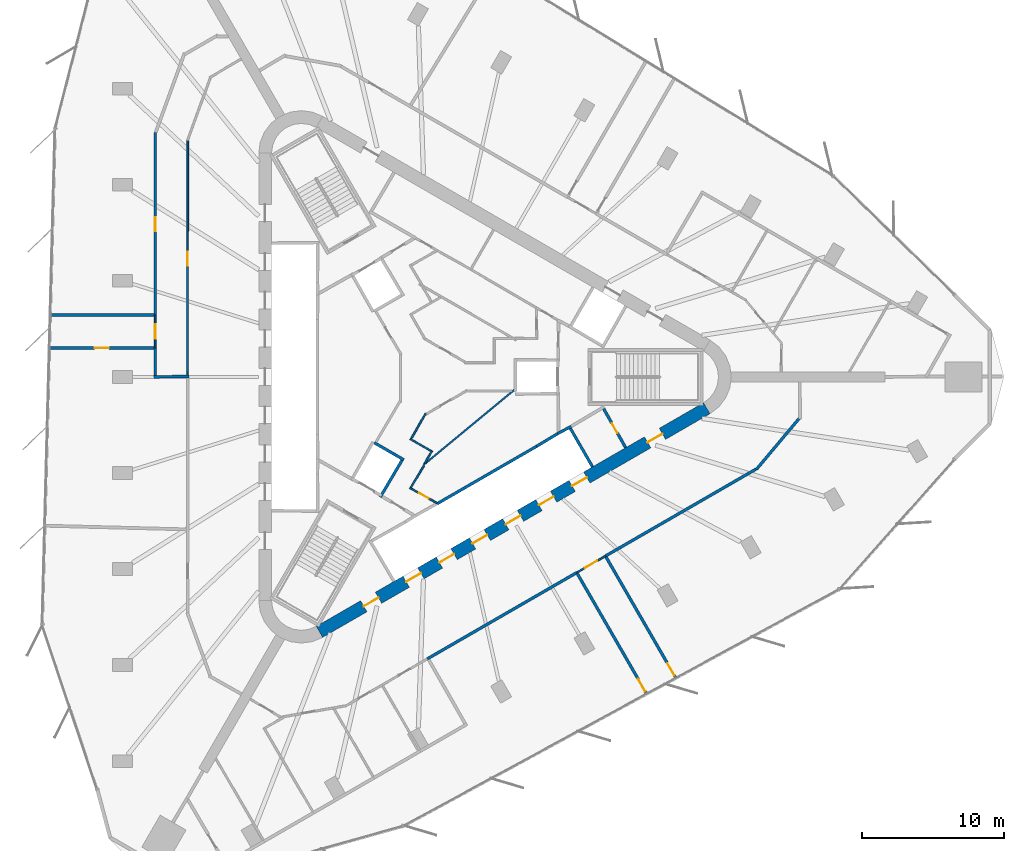
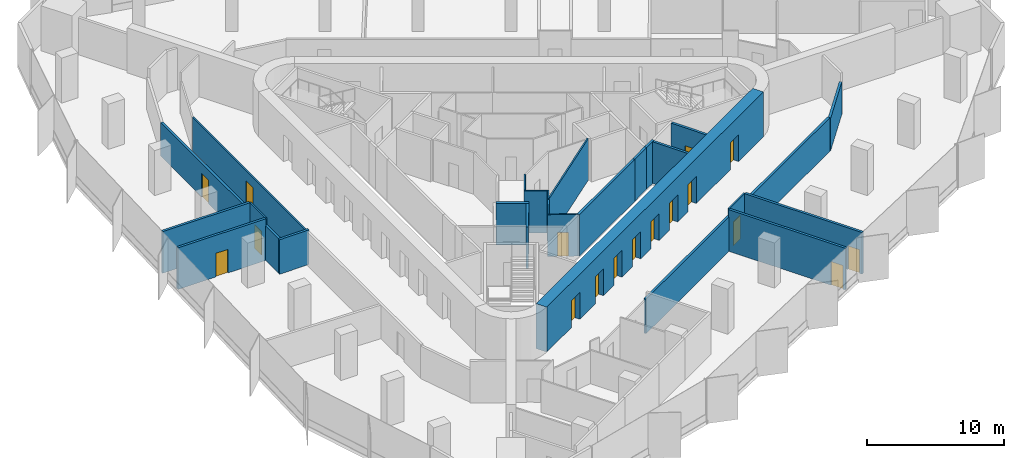
# One storey, part 9 of 14: 27 walls, 17 doors, 17 openings.
"""IFC4 building model written with IfcOpenShell, lengths in metres."""

from ifc_helpers import new_model, si_unit, direction, frame, frame_2d, origin, place, context, subcontext, project, spatial, rectangle, extrude, material, layer, layer_set, type_object, element, fill, save


model = new_model("IFC4")

# Units and contexts
model_context = context("Model", 3, precision=1e-05, world=origin(), true_north=direction((0.0, 1.0)))
body_context = subcontext(model_context, "Body", "Model", "MODEL_VIEW")
ifc_project = project(units=[si_unit("LENGTHUNIT", "METRE"), si_unit("AREAUNIT", "SQUARE_METRE"), si_unit("VOLUMEUNIT", "CUBIC_METRE"), si_unit("PLANEANGLEUNIT", "RADIAN"), si_unit("MASSUNIT", "GRAM", prefix="KILO")], contexts=[model_context])

# Site, building, storey
site_placement = place(None, origin())
site = spatial("IfcSite", under=ifc_project, at=site_placement, CompositionType="ELEMENT")
building_placement = place(site_placement, origin())
building = spatial("IfcBuilding", under=site, at=building_placement, Name="Tanit Gate Tower", CompositionType="ELEMENT")
storey_placement = place(building_placement, frame((0.0, 0.0, 249.199951171875)))
storey = spatial("IfcBuildingStorey", under=building, at=storey_placement, Name="L56", CompositionType="ELEMENT", Elevation=249.199951171875)

# Wall, openings, doors
ifc_material_1 = material(Name="Concrete C50/60", Category="concrete")
ifc_layer_1 = layer(ifc_material_1, 0.89990234375)
ifc_layer_set_1 = layer_set([ifc_layer_1], Name="CORE WALL 900 C50/60")
wall_type_1 = type_object("IfcWallType", Name="CORE WALL 900 C50/60", PredefinedType="SHEAR", material=ifc_layer_set_1)
wall_1_placement = place(storey_placement, frame((-7.824951171875, -17.969970703125, 0.0), z_axis=(0.0, 0.0, 1.0), x_axis=(0.866028369851, 0.499994862586, 0.0)))
wall_1 = element("IfcWall", 1, at=wall_1_placement, inside=storey, type_object=wall_type_1, Name="CORE WALL", PredefinedType="SHEAR", context=body_context, shape_type="SweptSolid", body=[
    extrude(rectangle(XDim=31.523193359375, YDim=0.89990234375, at=frame_2d((15.76171875, 0.0))), origin(), (0.0, 0.0, 1.0), 4.0),
])
opening_1_placement = place(wall_1_placement, frame((7.061767578125, 0.0, 0.0)))
opening_1 = element("IfcOpeningElement", 2, at=opening_1_placement, cuts=wall_1, Name="Opening LDSX1-S15", PredefinedType="OPENING", context=body_context, shape_type="SweptSolid", body=[
    extrude(rectangle(XDim=1.199951171875, YDim=2.39990234375, at=frame_2d((0.60009765625, 1.199951171875))), frame((0.0, 0.4599609375, 0.0), z_axis=(0.0, -1.0, 0.0), x_axis=(1.0, 0.0, 0.0)), (0.0, 0.0, 1.0), 0.919921875),
])
opening_2_placement = place(wall_1_placement, frame((9.76171875, 0.0, 0.0)))
opening_2 = element("IfcOpeningElement", 3, at=opening_2_placement, cuts=wall_1, Name="Opening LDSX2-S15", PredefinedType="OPENING", context=body_context, shape_type="SweptSolid", body=[
    extrude(rectangle(XDim=1.199951171875, YDim=2.39990234375, at=frame_2d((0.60009765625, 1.199951171875))), frame((0.0, 0.4599609375, 0.0), z_axis=(0.0, -1.0, 0.0), x_axis=(1.0, 0.0, 0.0)), (0.0, 0.0, 1.0), 0.919921875),
])
opening_3_placement = place(wall_1_placement, frame((12.461669921875, 0.0, 0.0)))
opening_3 = element("IfcOpeningElement", 4, at=opening_3_placement, cuts=wall_1, Name="Opening LDSX3-S15", PredefinedType="OPENING", context=body_context, shape_type="SweptSolid", body=[
    extrude(rectangle(XDim=1.199951171875, YDim=2.39990234375, at=frame_2d((0.60009765625, 1.199951171875))), frame((0.0, 0.4599609375, 0.0), z_axis=(0.0, -1.0, 0.0), x_axis=(1.0, 0.0, 0.0)), (0.0, 0.0, 1.0), 0.919921875),
])
opening_4_placement = place(wall_1_placement, frame((15.16162109375, 0.0, 0.0)))
opening_4 = element("IfcOpeningElement", 5, at=opening_4_placement, cuts=wall_1, Name="Opening LDSX4-S15", PredefinedType="OPENING", context=body_context, shape_type="SweptSolid", body=[
    extrude(rectangle(XDim=1.199951171875, YDim=2.39990234375, at=frame_2d((0.60009765625, 1.199951171875))), frame((0.0, 0.4599609375, 0.0), z_axis=(0.0, -1.0, 0.0), x_axis=(1.0, 0.0, 0.0)), (0.0, 0.0, 1.0), 0.919921875),
])
opening_5_placement = place(wall_1_placement, frame((17.861572265625, 0.0, 0.0)))
opening_5 = element("IfcOpeningElement", 6, at=opening_5_placement, cuts=wall_1, Name="Opening LDSV1-S15", PredefinedType="OPENING", context=body_context, shape_type="SweptSolid", body=[
    extrude(rectangle(XDim=1.199951171875, YDim=2.39990234375, at=frame_2d((0.60009765625, 1.199951171875))), frame((0.0, 0.4599609375, 0.0), z_axis=(0.0, -1.0, 0.0), x_axis=(1.0, 0.0, 0.0)), (0.0, 0.0, 1.0), 0.919921875),
])
opening_6_placement = place(wall_1_placement, frame((20.561767578125, 0.0, 0.0)))
opening_6 = element("IfcOpeningElement", 7, at=opening_6_placement, cuts=wall_1, Name="Opening LDSV2-S15", PredefinedType="OPENING", context=body_context, shape_type="SweptSolid", body=[
    extrude(rectangle(XDim=1.199951171875, YDim=2.39990234375, at=frame_2d((0.60009765625, 1.199951171875))), frame((0.0, 0.4599609375, 0.0), z_axis=(0.0, -1.0, 0.0), x_axis=(1.0, 0.0, 0.0)), (0.0, 0.0, 1.0), 0.919921875),
])
opening_7_placement = place(wall_1_placement, frame((26.711669921875, 0.0, 0.0)))
opening_7 = element("IfcOpeningElement", 8, at=opening_7_placement, cuts=wall_1, Name="Opening F12-S15-S1", PredefinedType="OPENING", context=body_context, shape_type="SweptSolid", body=[
    extrude(rectangle(XDim=1.199951171875, YDim=2.39990234375, at=frame_2d((0.60009765625, 1.199951171875))), frame((0.0, 0.4599609375, 0.0), z_axis=(0.0, -1.0, 0.0), x_axis=(1.0, 0.0, 0.0)), (0.0, 0.0, 1.0), 0.919921875),
])
opening_8_placement = place(wall_1_placement, frame((3.611572265625, 0.0, 0.0)))
opening_8 = element("IfcOpeningElement", 9, at=opening_8_placement, cuts=wall_1, Name="Opening F12-S15-FL3", PredefinedType="OPENING", context=body_context, shape_type="SweptSolid", body=[
    extrude(rectangle(XDim=1.199951171875, YDim=2.39990234375, at=frame_2d((0.60009765625, 1.199951171875))), frame((0.0, 0.4599609375, 0.0), z_axis=(0.0, -1.0, 0.0), x_axis=(1.0, 0.0, 0.0)), (0.0, 0.0, 1.0), 0.919921875),
])
ifc_material_2 = material(Name="Fire-rated steel door leaf", Category="steel")
door_type_1 = type_object("IfcDoorType", Name="INT-DOOR-FIRE-LOBBY-1200", OperationType="NOTDEFINED", PredefinedType="USERDEFINED", material=ifc_material_2)
door_1_placement = place(opening_7_placement, origin())
door_1 = element("IfcDoor", 10, at=door_1_placement, inside=storey, type_object=door_type_1, Name="Door F12-S15-S1", ObjectType="FIRE DOOR", OperationType="SINGLE_SWING_LEFT", OverallHeight=2.39990234375, OverallWidth=1.199951171875, PredefinedType="USERDEFINED", context=body_context, shape_type="SweptSolid", body=[
    extrude(rectangle(XDim=1.199951171875, YDim=2.39990234375, at=frame_2d((0.60009765625, 1.199951171875))), frame((0.0, 0.02490234375, 0.0), z_axis=(0.0, -1.0, 0.0), x_axis=(1.0, 0.0, 0.0)), (0.0, 0.0, 1.0), 0.050048828125),
])
fill(opening_7, door_1)
door_2_placement = place(opening_8_placement, origin())
door_2 = element("IfcDoor", 11, at=door_2_placement, inside=storey, type_object=door_type_1, Name="Door F12-S15-FL3", ObjectType="FIRE DOOR", OperationType="SINGLE_SWING_LEFT", OverallHeight=2.39990234375, OverallWidth=1.199951171875, PredefinedType="USERDEFINED", context=body_context, shape_type="SweptSolid", body=[
    extrude(rectangle(XDim=1.199951171875, YDim=2.39990234375, at=frame_2d((0.60009765625, 1.199951171875))), frame((0.0, 0.02490234375, 0.0), z_axis=(0.0, -1.0, 0.0), x_axis=(1.0, 0.0, 0.0)), (0.0, 0.0, 1.0), 0.050048828125),
])
fill(opening_8, door_2)
ifc_material_3 = material(Name="Stainless steel sliding door leaf", Category="steel")
door_type_2 = type_object("IfcDoorType", Name="INT-DOOR-LANDING-1200", OperationType="NOTDEFINED", PredefinedType="USERDEFINED", material=ifc_material_3)
door_3_placement = place(opening_1_placement, origin())
door_3 = element("IfcDoor", 12, at=door_3_placement, inside=storey, type_object=door_type_2, Name="Door LDSX1-S15", ObjectType="LANDING DOOR", OperationType="SLIDING_TO_LEFT", OverallHeight=2.39990234375, OverallWidth=1.199951171875, PredefinedType="USERDEFINED", context=body_context, shape_type="SweptSolid", body=[
    extrude(rectangle(XDim=1.199951171875, YDim=2.39990234375, at=frame_2d((0.60009765625, 1.199951171875))), frame((0.0, 0.02490234375, 0.0), z_axis=(0.0, -1.0, 0.0), x_axis=(1.0, 0.0, 0.0)), (0.0, 0.0, 1.0), 0.050048828125),
])
fill(opening_1, door_3)
door_4_placement = place(opening_2_placement, origin())
door_4 = element("IfcDoor", 13, at=door_4_placement, inside=storey, type_object=door_type_2, Name="Door LDSX2-S15", ObjectType="LANDING DOOR", OperationType="SLIDING_TO_LEFT", OverallHeight=2.39990234375, OverallWidth=1.199951171875, PredefinedType="USERDEFINED", context=body_context, shape_type="SweptSolid", body=[
    extrude(rectangle(XDim=1.199951171875, YDim=2.39990234375, at=frame_2d((0.60009765625, 1.199951171875))), frame((0.0, 0.02490234375, 0.0), z_axis=(0.0, -1.0, 0.0), x_axis=(1.0, 0.0, 0.0)), (0.0, 0.0, 1.0), 0.050048828125),
])
fill(opening_2, door_4)
door_5_placement = place(opening_3_placement, origin())
door_5 = element("IfcDoor", 14, at=door_5_placement, inside=storey, type_object=door_type_2, Name="Door LDSX3-S15", ObjectType="LANDING DOOR", OperationType="SLIDING_TO_LEFT", OverallHeight=2.39990234375, OverallWidth=1.199951171875, PredefinedType="USERDEFINED", context=body_context, shape_type="SweptSolid", body=[
    extrude(rectangle(XDim=1.199951171875, YDim=2.39990234375, at=frame_2d((0.60009765625, 1.199951171875))), frame((0.0, 0.02490234375, 0.0), z_axis=(0.0, -1.0, 0.0), x_axis=(1.0, 0.0, 0.0)), (0.0, 0.0, 1.0), 0.050048828125),
])
fill(opening_3, door_5)
door_6_placement = place(opening_4_placement, origin())
door_6 = element("IfcDoor", 15, at=door_6_placement, inside=storey, type_object=door_type_2, Name="Door LDSX4-S15", ObjectType="LANDING DOOR", OperationType="SLIDING_TO_LEFT", OverallHeight=2.39990234375, OverallWidth=1.199951171875, PredefinedType="USERDEFINED", context=body_context, shape_type="SweptSolid", body=[
    extrude(rectangle(XDim=1.199951171875, YDim=2.39990234375, at=frame_2d((0.60009765625, 1.199951171875))), frame((0.0, 0.02490234375, 0.0), z_axis=(0.0, -1.0, 0.0), x_axis=(1.0, 0.0, 0.0)), (0.0, 0.0, 1.0), 0.050048828125),
])
fill(opening_4, door_6)
door_7_placement = place(opening_5_placement, origin())
door_7 = element("IfcDoor", 16, at=door_7_placement, inside=storey, type_object=door_type_2, Name="Door LDSV1-S15", ObjectType="LANDING DOOR", OperationType="SLIDING_TO_LEFT", OverallHeight=2.39990234375, OverallWidth=1.199951171875, PredefinedType="USERDEFINED", context=body_context, shape_type="SweptSolid", body=[
    extrude(rectangle(XDim=1.199951171875, YDim=2.39990234375, at=frame_2d((0.60009765625, 1.199951171875))), frame((0.0, 0.02490234375, 0.0), z_axis=(0.0, -1.0, 0.0), x_axis=(1.0, 0.0, 0.0)), (0.0, 0.0, 1.0), 0.050048828125),
])
fill(opening_5, door_7)
door_8_placement = place(opening_6_placement, origin())
door_8 = element("IfcDoor", 17, at=door_8_placement, inside=storey, type_object=door_type_2, Name="Door LDSV2-S15", ObjectType="LANDING DOOR", OperationType="SLIDING_TO_LEFT", OverallHeight=2.39990234375, OverallWidth=1.199951171875, PredefinedType="USERDEFINED", context=body_context, shape_type="SweptSolid", body=[
    extrude(rectangle(XDim=1.199951171875, YDim=2.39990234375, at=frame_2d((0.60009765625, 1.199951171875))), frame((0.0, 0.02490234375, 0.0), z_axis=(0.0, -1.0, 0.0), x_axis=(1.0, 0.0, 0.0)), (0.0, 0.0, 1.0), 0.050048828125),
])
fill(opening_6, door_8)

# Wall, opening, door
ifc_material_4 = material(Name="Fire-rated gypsum board partition")
ifc_layer_2 = layer(ifc_material_4, 0.199951171875)
ifc_layer_set_2 = layer_set([ifc_layer_2], Name="INT-WALL-COMPARTMENT")
wall_type_2 = type_object("IfcWallType", Name="INT-WALL-COMPARTMENT", PredefinedType="PARTITIONING", material=ifc_layer_set_2)
wall_2_placement = place(storey_placement, frame((13.758056640625, -4.989501953125, 0.0), z_axis=(0.0, 0.0, 1.0), x_axis=(-0.491993409184, 0.87059892334, 0.0)))
wall_2 = element("IfcWall", 18, at=wall_2_placement, inside=storey, type_object=wall_type_2, Name="Wall Compartment W058", PredefinedType="PARTITIONING", context=body_context, shape_type="SweptSolid", body=[
    extrude(rectangle(XDim=3.150146484375, YDim=0.199951171875, at=frame_2d((1.5751953125, 0.0))), origin(), (0.0, 0.0, 1.0), 3.699951171875),
])
opening_9_placement = place(wall_2_placement, frame((1.175048828125, 0.0, 0.0)))
opening_9 = element("IfcOpeningElement", 19, at=opening_9_placement, cuts=wall_2, Name="Opening R08-S15-17", PredefinedType="OPENING", context=body_context, shape_type="SweptSolid", body=[
    extrude(rectangle(XDim=0.800048828125, YDim=2.10009765625, at=frame_2d((0.39990234375, 1.050048828125))), frame((0.0, 0.10986328125, 0.0), z_axis=(0.0, -1.0, 0.0), x_axis=(1.0, 0.0, 0.0)), (0.0, 0.0, 1.0), 0.219970703125),
])
ifc_material_5 = material(Name="Timber door leaf", Category="wood")
door_type_3 = type_object("IfcDoorType", Name="INT-DOOR-RISER-800", OperationType="NOTDEFINED", PredefinedType="USERDEFINED", material=ifc_material_5)
door_9_placement = place(opening_9_placement, origin())
door_9 = element("IfcDoor", 20, at=door_9_placement, inside=storey, type_object=door_type_3, Name="Door R08-S15-17", ObjectType="FIRE DOOR", OperationType="SINGLE_SWING_RIGHT", OverallHeight=2.10009765625, OverallWidth=0.800048828125, PredefinedType="USERDEFINED", context=body_context, shape_type="SweptSolid", body=[
    extrude(rectangle(XDim=0.800048828125, YDim=2.10009765625, at=frame_2d((0.39990234375, 1.050048828125))), frame((0.0, 0.02490234375, 0.0), z_axis=(0.0, -1.0, 0.0), x_axis=(1.0, 0.0, 0.0)), (0.0, 0.0, 1.0), 0.050048828125),
])
fill(opening_9, door_9)

# Wall
wall_3_placement = place(storey_placement, frame((-19.5, -0.001220703125, 0.0), z_axis=(0.0, 0.0, 1.0), x_axis=(0.999915662945, 0.012987185857, 0.0)))
element("IfcWall", 21, at=wall_3_placement, inside=storey, type_object=wall_type_2, Name="Wall Compartment W092", PredefinedType="PARTITIONING", context=body_context, shape_type="SweptSolid", body=[
    extrude(rectangle(XDim=2.500244140625, YDim=0.199951171875, at=frame_2d((1.25, 0.0))), origin(), (0.0, 0.0, 1.0), 3.070068359375),
])

# Wall, opening, door
wall_4_placement = place(storey_placement, frame((-19.39990234375, 17.228271484375, 0.0), z_axis=(0.0, 0.0, 1.0), x_axis=(0.0, -1.0, 0.0)))
wall_4 = element("IfcWall", 22, at=wall_4_placement, inside=storey, type_object=wall_type_2, Name="Wall Compartment W094", PredefinedType="PARTITIONING", context=body_context, shape_type="SweptSolid", body=[
    extrude(rectangle(XDim=12.878173828125, YDim=0.199951171875, at=frame_2d((6.43896484375, 0.0))), origin(), (0.0, 0.0, 1.0), 2.97998046875),
])
opening_10_placement = place(wall_4_placement, frame((5.97900390625, 0.0, 0.0)))
opening_10 = element("IfcOpeningElement", 23, at=opening_10_placement, cuts=wall_4, Name="Opening F10-S15-33", PredefinedType="OPENING", context=body_context, shape_type="SweptSolid", body=[
    extrude(rectangle(XDim=1.0, YDim=2.10009765625, at=frame_2d((0.5, 1.050048828125))), frame((0.0, 0.10986328125, 0.0), z_axis=(0.0, -1.0, 0.0), x_axis=(1.0, 0.0, 0.0)), (0.0, 0.0, 1.0), 0.219970703125),
])
ifc_material_6 = material(Name="Fire-rated steel door leaf", Category="steel")
door_type_4 = type_object("IfcDoorType", Name="INT-DOOR-FIRE-1000", OperationType="NOTDEFINED", PredefinedType="USERDEFINED", material=ifc_material_6)
door_10_placement = place(opening_10_placement, origin())
door_10 = element("IfcDoor", 24, at=door_10_placement, inside=storey, type_object=door_type_4, Name="Door F10-S15-33", ObjectType="FIRE DOOR", OperationType="SINGLE_SWING_RIGHT", OverallHeight=2.10009765625, OverallWidth=1.0, PredefinedType="USERDEFINED", context=body_context, shape_type="SweptSolid", body=[
    extrude(rectangle(XDim=1.0, YDim=2.10009765625, at=frame_2d((0.5, 1.050048828125))), frame((0.0, 0.02490234375, 0.0), z_axis=(0.0, -1.0, 0.0), x_axis=(1.0, 0.0, 0.0)), (0.0, 0.0, 1.0), 0.050048828125),
])
fill(opening_10, door_10)

# Walls
wall_5_placement = place(storey_placement, frame((-19.39990234375, 2.050048828125, 0.0), z_axis=(0.0, 0.0, 1.0), x_axis=(0.0, -1.0, 0.0)))
element("IfcWall", 25, at=wall_5_placement, inside=storey, type_object=wall_type_2, Name="Wall Compartment W093", PredefinedType="PARTITIONING", context=body_context, shape_type="SweptSolid", body=[
    extrude(rectangle(XDim=1.949951171875, YDim=0.199951171875, at=frame_2d((0.97509765625, 0.0))), origin(), (0.0, 0.0, 1.0), 3.070068359375),
])
wall_6_placement = place(storey_placement, frame((22.968017578125, -6.5244140625, 0.0), z_axis=(0.0, 0.0, 1.0), x_axis=(0.642764400317, 0.766063917493, 0.0)))
element("IfcWall", 26, at=wall_6_placement, inside=storey, type_object=wall_type_2, Name="Wall Compartment W115", PredefinedType="PARTITIONING", context=body_context, shape_type="SweptSolid", body=[
    extrude(rectangle(XDim=4.740234375, YDim=0.199951171875, at=frame_2d((2.3701171875, 0.0))), origin(), (0.0, 0.0, 1.0), 2.880126953125),
])
wall_7_placement = place(storey_placement, frame((-0.222900390625, -19.8740234375, 0.0), z_axis=(0.0, 0.0, 1.0), x_axis=(0.866025366729, 0.500000064182, 0.0)))
element("IfcWall", 27, at=wall_7_placement, inside=storey, type_object=wall_type_2, Name="Wall Compartment W117", PredefinedType="PARTITIONING", context=body_context, shape_type="SweptSolid", body=[
    extrude(rectangle(XDim=12.18017578125, YDim=0.199951171875, at=frame_2d((6.090087890625, 0.0))), origin(), (0.0, 0.0, 1.0), 3.070068359375),
])
wall_8_placement = place(storey_placement, frame((12.317138671875, -12.634033203125, 0.0), z_axis=(0.0, 0.0, 1.0), x_axis=(0.866028561818, 0.499994530085, 0.0)))
element("IfcWall", 28, at=wall_8_placement, inside=storey, type_object=wall_type_2, Name="Wall Compartment W116", PredefinedType="PARTITIONING", context=body_context, shape_type="SweptSolid", body=[
    extrude(rectangle(XDim=12.272705078125, YDim=0.199951171875, at=frame_2d((6.13623046875, 0.0))), origin(), (0.0, 0.0, 1.0), 2.97998046875),
])

# Wall, opening, door
wall_9_placement = place(storey_placement, frame((-26.858154296875, 2.030029296875, 0.0), z_axis=(0.0, 0.0, 1.0), x_axis=(1.0, 0.0, 0.0)))
wall_9 = element("IfcWall", 29, at=wall_9_placement, inside=storey, type_object=wall_type_2, Name="Wall Compartment W123", PredefinedType="PARTITIONING", context=body_context, shape_type="SweptSolid", body=[
    extrude(rectangle(XDim=7.398193359375, YDim=0.199951171875, at=frame_2d((3.69921875, 0.0))), origin(), (0.0, 0.0, 1.0), 3.699951171875),
])
opening_11_placement = place(wall_9_placement, frame((3.198974609375, 0.0, 0.0)))
opening_11 = element("IfcOpeningElement", 30, at=opening_11_placement, cuts=wall_9, Name="Opening F10-S15-32", PredefinedType="OPENING", context=body_context, shape_type="SweptSolid", body=[
    extrude(rectangle(XDim=1.0, YDim=2.10009765625, at=frame_2d((0.5, 1.050048828125))), frame((0.0, 0.10986328125, 0.0), z_axis=(0.0, -1.0, 0.0), x_axis=(1.0, 0.0, 0.0)), (0.0, 0.0, 1.0), 0.219970703125),
])
door_11_placement = place(opening_11_placement, origin())
door_11 = element("IfcDoor", 31, at=door_11_placement, inside=storey, type_object=door_type_4, Name="Door F10-S15-32", ObjectType="FIRE DOOR", OperationType="SINGLE_SWING_RIGHT", OverallHeight=2.10009765625, OverallWidth=1.0, PredefinedType="USERDEFINED", context=body_context, shape_type="SweptSolid", body=[
    extrude(rectangle(XDim=1.0, YDim=2.10009765625, at=frame_2d((0.5, 1.050048828125))), frame((0.0, 0.02490234375, 0.0), z_axis=(0.0, -1.0, 0.0), x_axis=(1.0, 0.0, 0.0)), (0.0, 0.0, 1.0), 0.050048828125),
])
fill(opening_11, door_11)

# Wall
wall_10_placement = place(storey_placement, frame((-19.4599609375, 4.3701171875, 0.0), z_axis=(0.0, 0.0, 1.0), x_axis=(-1.0, 0.0, 0.0)))
element("IfcWall", 32, at=wall_10_placement, inside=storey, type_object=wall_type_2, Name="Wall Compartment W124", PredefinedType="PARTITIONING", context=body_context, shape_type="SweptSolid", body=[
    extrude(rectangle(XDim=7.33740234375, YDim=0.199951171875, at=frame_2d((3.668701171875, 0.0))), origin(), (0.0, 0.0, 1.0), 3.699951171875),
])

# Wall, opening, door
wall_11_placement = place(storey_placement, frame((17.296630859375, -21.218505859375, 0.0), z_axis=(0.0, 0.0, 1.0), x_axis=(-0.500009542791, 0.866019894181, 0.0)))
wall_11 = element("IfcWall", 33, at=wall_11_placement, inside=storey, type_object=wall_type_2, Name="Wall Compartment W142", PredefinedType="PARTITIONING", context=body_context, shape_type="SweptSolid", body=[
    extrude(rectangle(XDim=9.864013671875, YDim=0.199951171875, at=frame_2d((4.93212890625, 0.0))), origin(), (0.0, 0.0, 1.0), 3.699951171875),
])
opening_12_placement = place(wall_11_placement, frame((0.199951171875, 0.0, 0.0)))
opening_12 = element("IfcOpeningElement", 34, at=opening_12_placement, cuts=wall_11, Name="Opening F10-S15-37", PredefinedType="OPENING", context=body_context, shape_type="SweptSolid", body=[
    extrude(rectangle(XDim=1.0, YDim=2.10009765625, at=frame_2d((0.5, 1.050048828125))), frame((0.0, 0.10986328125, 0.0), z_axis=(0.0, -1.0, 0.0), x_axis=(1.0, 0.0, 0.0)), (0.0, 0.0, 1.0), 0.219970703125),
])
door_12_placement = place(opening_12_placement, origin())
door_12 = element("IfcDoor", 35, at=door_12_placement, inside=storey, type_object=door_type_4, Name="Door F10-S15-37", ObjectType="FIRE DOOR", OperationType="SINGLE_SWING_LEFT", OverallHeight=2.10009765625, OverallWidth=1.0, PredefinedType="USERDEFINED", context=body_context, shape_type="SweptSolid", body=[
    extrude(rectangle(XDim=1.0, YDim=2.10009765625, at=frame_2d((0.5, 1.050048828125))), frame((0.0, 0.02490234375, 0.0), z_axis=(0.0, -1.0, 0.0), x_axis=(1.0, 0.0, 0.0)), (0.0, 0.0, 1.0), 0.050048828125),
])
fill(opening_12, door_12)

wall_12_placement = place(storey_placement, frame((10.338134765625, -13.845947265625, 0.0), z_axis=(0.0, 0.0, 1.0), x_axis=(0.499993357938, -0.866029238547, 0.0)))
wall_12 = element("IfcWall", 36, at=wall_12_placement, inside=storey, type_object=wall_type_2, Name="Wall Compartment W143", PredefinedType="PARTITIONING", context=body_context, shape_type="SweptSolid", body=[
    extrude(rectangle(XDim=9.803466796875, YDim=0.199951171875, at=frame_2d((4.90185546875, 0.0))), origin(), (0.0, 0.0, 1.0), 3.699951171875),
])
opening_13_placement = place(wall_12_placement, frame((8.603515625, 0.0, 0.0)))
opening_13 = element("IfcOpeningElement", 37, at=opening_13_placement, cuts=wall_12, Name="Opening F10-S15-38", PredefinedType="OPENING", context=body_context, shape_type="SweptSolid", body=[
    extrude(rectangle(XDim=1.0, YDim=2.10009765625, at=frame_2d((0.5, 1.050048828125))), frame((0.0, 0.10986328125, 0.0), z_axis=(0.0, -1.0, 0.0), x_axis=(1.0, 0.0, 0.0)), (0.0, 0.0, 1.0), 0.219970703125),
])
door_13_placement = place(opening_13_placement, origin())
door_13 = element("IfcDoor", 38, at=door_13_placement, inside=storey, type_object=door_type_4, Name="Door F10-S15-38", ObjectType="FIRE DOOR", OperationType="SINGLE_SWING_RIGHT", OverallHeight=2.10009765625, OverallWidth=1.0, PredefinedType="USERDEFINED", context=body_context, shape_type="SweptSolid", body=[
    extrude(rectangle(XDim=1.0, YDim=2.10009765625, at=frame_2d((0.5, 1.050048828125))), frame((0.0, 0.02490234375, 0.0), z_axis=(0.0, -1.0, 0.0), x_axis=(1.0, 0.0, 0.0)), (0.0, 0.0, 1.0), 0.050048828125),
])
fill(opening_13, door_13)

# Walls
ifc_material_7 = material(Name="Gypsum board partition")
ifc_layer_3 = layer(ifc_material_7, 0.1201171875)
ifc_layer_set_3 = layer_set([ifc_layer_3], Name="INT-WALL-PARTITION")
wall_type_3 = type_object("IfcWallType", Name="INT-WALL-PARTITION", PredefinedType="PARTITIONING", material=ifc_layer_set_3)
wall_13_placement = place(storey_placement, frame((5.935546875, -0.893798828125, 0.0), z_axis=(0.0, 0.0, 1.0), x_axis=(-0.770832870475, -0.637037428881, 0.0)))
element("IfcWall", 39, at=wall_13_placement, inside=storey, type_object=wall_type_3, Name="Wall Partition W068", PredefinedType="PARTITIONING", context=body_context, shape_type="SweptSolid", body=[
    extrude(rectangle(XDim=8.331787109375, YDim=0.1201171875, at=frame_2d((4.166015625, 0.0))), origin(), (0.0, 0.0, 1.0), 3.699951171875),
])
wall_14_placement = place(storey_placement, frame((-0.41064453125, -6.111328125, 0.0), z_axis=(0.0, 0.0, 1.0), x_axis=(0.49986229611, 0.866104892567, 0.0)))
element("IfcWall", 40, at=wall_14_placement, inside=storey, type_object=wall_type_3, Name="Wall Partition W069", PredefinedType="PARTITIONING", context=body_context, shape_type="SweptSolid", body=[
    extrude(rectangle(XDim=1.057861328125, YDim=0.1201171875, at=frame_2d((0.52880859375, 0.0))), origin(), (0.0, 0.0, 1.0), 3.699951171875),
])
wall_15_placement = place(storey_placement, frame((-1.43603515625, -4.3671875, 0.0), z_axis=(0.0, 0.0, 1.0), x_axis=(0.866087547558, -0.499892348375, 0.0)))
element("IfcWall", 41, at=wall_15_placement, inside=storey, type_object=wall_type_3, Name="Wall Partition W070", PredefinedType="PARTITIONING", context=body_context, shape_type="SweptSolid", body=[
    extrude(rectangle(XDim=1.699951171875, YDim=0.1201171875, at=frame_2d((0.85009765625, 0.0))), origin(), (0.0, 0.0, 1.0), 3.699951171875),
])
wall_16_placement = place(storey_placement, frame((-0.337646484375, -2.5849609375, 0.0), z_axis=(0.0, 0.0, 1.0), x_axis=(-0.50002743572, -0.866009563185, 0.0)))
element("IfcWall", 42, at=wall_16_placement, inside=storey, type_object=wall_type_3, Name="Wall Partition W071", PredefinedType="PARTITIONING", context=body_context, shape_type="SweptSolid", body=[
    extrude(rectangle(XDim=2.03271484375, YDim=0.1201171875, at=frame_2d((1.016357421875, 0.0))), origin(), (0.0, 0.0, 1.0), 3.699951171875),
])

# Wall, opening, door
wall_17_placement = place(storey_placement, frame((-1.464111328125, -7.81591796875, 0.0), z_axis=(0.0, 0.0, 1.0), x_axis=(0.871880202732, -0.489719217597, 0.0)))
wall_17 = element("IfcWall", 43, at=wall_17_placement, inside=storey, type_object=wall_type_3, Name="Wall Partition W074", PredefinedType="PARTITIONING", context=body_context, shape_type="SweptSolid", body=[
    extrude(rectangle(XDim=2.224365234375, YDim=0.1201171875, at=frame_2d((1.1123046875, 0.0))), origin(), (0.0, 0.0, 1.0), 3.699951171875),
])
opening_14_placement = place(wall_17_placement, frame((0.7421875, 0.0, 0.0)))
opening_14 = element("IfcOpeningElement", 44, at=opening_14_placement, cuts=wall_17, Name="Opening R08-S15-12", PredefinedType="OPENING", context=body_context, shape_type="SweptSolid", body=[
    extrude(rectangle(XDim=0.800048828125, YDim=2.10009765625, at=frame_2d((0.39990234375, 1.050048828125))), frame((0.0, 0.070068359375, 0.0), z_axis=(0.0, -1.0, 0.0), x_axis=(1.0, 0.0, 0.0)), (0.0, 0.0, 1.0), 0.14013671875),
])
door_14_placement = place(opening_14_placement, origin())
door_14 = element("IfcDoor", 45, at=door_14_placement, inside=storey, type_object=door_type_3, Name="Door R08-S15-12", ObjectType="FIRE DOOR", OperationType="SINGLE_SWING_LEFT", OverallHeight=2.10009765625, OverallWidth=0.800048828125, PredefinedType="USERDEFINED", context=body_context, shape_type="SweptSolid", body=[
    extrude(rectangle(XDim=0.800048828125, YDim=2.10009765625, at=frame_2d((0.39990234375, 1.050048828125))), frame((0.0, 0.02490234375, 0.0), z_axis=(0.0, -1.0, 0.0), x_axis=(1.0, 0.0, 0.0)), (0.0, 0.0, 1.0), 0.050048828125),
])
fill(opening_14, door_14)

# Wall
wall_18_placement = place(storey_placement, frame((-0.46337890625, -6.256591796875, 0.0), z_axis=(0.0, 0.0, 1.0), x_axis=(-0.512528878122, -0.858669988466, 0.0)))
element("IfcWall", 46, at=wall_18_placement, inside=storey, type_object=wall_type_3, Name="Wall Partition W075", PredefinedType="PARTITIONING", context=body_context, shape_type="SweptSolid", body=[
    extrude(rectangle(XDim=1.7900390625, YDim=0.1201171875, at=frame_2d((0.89501953125, 0.0))), origin(), (0.0, 0.0, 1.0), 3.699951171875),
])

# Wall, opening, door
wall_19_placement = place(storey_placement, frame((-17.1298828125, 0.0, 0.0), z_axis=(0.0, 0.0, 1.0), x_axis=(0.001787542932, 0.999998402344, 0.0)))
wall_19 = element("IfcWall", 47, at=wall_19_placement, inside=storey, type_object=wall_type_3, Name="Wall Partition W090", PredefinedType="PARTITIONING", context=body_context, shape_type="SweptSolid", body=[
    extrude(rectangle(XDim=16.66259765625, YDim=0.1201171875, at=frame_2d((8.331298828125, 0.0))), origin(), (0.0, 0.0, 1.0), 2.97998046875),
])
opening_15_placement = place(wall_19_placement, frame((7.831298828125, 0.0, 0.0)))
opening_15 = element("IfcOpeningElement", 48, at=opening_15_placement, cuts=wall_19, Name="Opening D10-S15-18", PredefinedType="OPENING", context=body_context, shape_type="SweptSolid", body=[
    extrude(rectangle(XDim=1.0, YDim=2.10009765625, at=frame_2d((0.5, 1.050048828125))), frame((0.0, 0.070068359375, 0.0), z_axis=(0.0, -1.0, 0.0), x_axis=(1.0, 0.0, 0.0)), (0.0, 0.0, 1.0), 0.14013671875),
])
ifc_material_8 = material(Name="Timber door leaf", Category="wood")
door_type_5 = type_object("IfcDoorType", Name="INT-DOOR-SINGLE-1000", OperationType="NOTDEFINED", PredefinedType="NOTDEFINED", material=ifc_material_8)
door_15_placement = place(opening_15_placement, origin())
door_15 = element("IfcDoor", 49, at=door_15_placement, inside=storey, type_object=door_type_5, Name="Door D10-S15-18", OperationType="SINGLE_SWING_RIGHT", OverallHeight=2.10009765625, OverallWidth=1.0, PredefinedType="NOTDEFINED", context=body_context, shape_type="SweptSolid", body=[
    extrude(rectangle(XDim=1.0, YDim=2.10009765625, at=frame_2d((0.5, 1.050048828125))), frame((0.0, 0.02490234375, 0.0), z_axis=(0.0, -1.0, 0.0), x_axis=(1.0, 0.0, 0.0)), (0.0, 0.0, 1.0), 0.050048828125),
])
fill(opening_15, door_15)

wall_20_placement = place(storey_placement, frame((-19.39990234375, 4.35009765625, 0.0), z_axis=(0.0, 0.0, 1.0), x_axis=(0.0, -1.0, 0.0)))
wall_20 = element("IfcWall", 50, at=wall_20_placement, inside=storey, type_object=wall_type_3, Name="Wall Partition W091", PredefinedType="PARTITIONING", context=body_context, shape_type="SweptSolid", body=[
    extrude(rectangle(XDim=2.300048828125, YDim=0.1201171875, at=frame_2d((1.14990234375, 0.0))), origin(), (0.0, 0.0, 1.0), 3.699951171875),
])
opening_16_placement = place(wall_20_placement, frame((0.64990234375, 0.0, 0.0)))
opening_16 = element("IfcOpeningElement", 51, at=opening_16_placement, cuts=wall_20, Name="Opening D10-S15-19", PredefinedType="OPENING", context=body_context, shape_type="SweptSolid", body=[
    extrude(rectangle(XDim=1.0, YDim=2.10009765625, at=frame_2d((0.5, 1.050048828125))), frame((0.0, 0.070068359375, 0.0), z_axis=(0.0, -1.0, 0.0), x_axis=(1.0, 0.0, 0.0)), (0.0, 0.0, 1.0), 0.14013671875),
])
door_16_placement = place(opening_16_placement, origin())
door_16 = element("IfcDoor", 52, at=door_16_placement, inside=storey, type_object=door_type_5, Name="Door D10-S15-19", OperationType="SINGLE_SWING_RIGHT", OverallHeight=2.10009765625, OverallWidth=1.0, PredefinedType="NOTDEFINED", context=body_context, shape_type="SweptSolid", body=[
    extrude(rectangle(XDim=1.0, YDim=2.10009765625, at=frame_2d((0.5, 1.050048828125))), frame((0.0, 0.02490234375, 0.0), z_axis=(0.0, -1.0, 0.0), x_axis=(1.0, 0.0, 0.0)), (0.0, 0.0, 1.0), 0.050048828125),
])
fill(opening_16, door_16)

wall_21_placement = place(storey_placement, frame((12.317138671875, -12.634033203125, 0.0), z_axis=(0.0, 0.0, 1.0), x_axis=(-0.86602648383, -0.499998129301, 0.0)))
wall_21 = element("IfcWall", 53, at=wall_21_placement, inside=storey, type_object=wall_type_3, Name="Wall Partition W113", PredefinedType="PARTITIONING", context=body_context, shape_type="SweptSolid", body=[
    extrude(rectangle(XDim=2.2998046875, YDim=0.1201171875, at=frame_2d((1.14990234375, 0.0))), origin(), (0.0, 0.0, 1.0), 3.699951171875),
])
opening_17_placement = place(wall_21_placement, frame((0.64990234375, 0.0, 0.0)))
opening_17 = element("IfcOpeningElement", 54, at=opening_17_placement, cuts=wall_21, Name="Opening D10-S15-21", PredefinedType="OPENING", context=body_context, shape_type="SweptSolid", body=[
    extrude(rectangle(XDim=1.0, YDim=2.10009765625, at=frame_2d((0.5, 1.050048828125))), frame((0.0, 0.070068359375, 0.0), z_axis=(0.0, -1.0, 0.0), x_axis=(1.0, 0.0, 0.0)), (0.0, 0.0, 1.0), 0.14013671875),
])
door_17_placement = place(opening_17_placement, origin())
door_17 = element("IfcDoor", 55, at=door_17_placement, inside=storey, type_object=door_type_5, Name="Door D10-S15-21", OperationType="SINGLE_SWING_LEFT", OverallHeight=2.10009765625, OverallWidth=1.0, PredefinedType="NOTDEFINED", context=body_context, shape_type="SweptSolid", body=[
    extrude(rectangle(XDim=1.0, YDim=2.10009765625, at=frame_2d((0.5, 1.050048828125))), frame((0.0, 0.02490234375, 0.0), z_axis=(0.0, -1.0, 0.0), x_axis=(1.0, 0.0, 0.0)), (0.0, 0.0, 1.0), 0.050048828125),
])
fill(opening_17, door_17)

# Walls
ifc_material_9 = material(Name="Gypsum shaft wall system")
ifc_layer_4 = layer(ifc_material_9, 0.199951171875)
ifc_layer_set_4 = layer_set([ifc_layer_4], Name="INT-WALL-SHAFT")
wall_type_4 = type_object("IfcWallType", Name="INT-WALL-SHAFT", PredefinedType="PLUMBINGWALL", material=ifc_layer_set_4)
wall_22_placement = place(storey_placement, frame((0.482666015625, -8.935791015625, 0.0), z_axis=(0.0, 0.0, 1.0), x_axis=(0.866030989016, 0.499990325971, 0.0)))
element("IfcWall", 56, at=wall_22_placement, inside=storey, type_object=wall_type_4, Name="Wall Shaft W023", PredefinedType="PLUMBINGWALL", context=body_context, shape_type="SweptSolid", body=[
    extrude(rectangle(XDim=8.099853515625, YDim=0.199951171875, at=frame_2d((4.0498046875, 0.0))), origin(), (0.0, 0.0, 1.0), 3.699951171875),
])
wall_23_placement = place(storey_placement, frame((9.794677734375, -3.52490234375, 0.0), z_axis=(0.0, 0.0, 1.0), x_axis=(0.499984717929, -0.866034226713, 0.0)))
element("IfcWall", 57, at=wall_23_placement, inside=storey, type_object=wall_type_4, Name="Wall Shaft W016", PredefinedType="PLUMBINGWALL", context=body_context, shape_type="SweptSolid", body=[
    extrude(rectangle(XDim=3.25, YDim=0.199951171875, at=frame_2d((1.625, 0.0))), origin(), (0.0, 0.0, 1.0), 3.699951171875),
])
wall_24_placement = place(storey_placement, frame((8.97412109375, -3.998779296875, 0.0), z_axis=(0.0, 0.0, 1.0), x_axis=(0.880907015104, 0.473289373154, 0.0)))
element("IfcWall", 58, at=wall_24_placement, inside=storey, type_object=wall_type_4, Name="Wall Shaft W017", PredefinedType="PLUMBINGWALL", context=body_context, shape_type="SweptSolid", body=[
    extrude(rectangle(XDim=1.078125, YDim=0.199951171875, at=frame_2d((0.5390625, 0.0))), origin(), (0.0, 0.0, 1.0), 3.699951171875),
])
wall_25_placement = place(storey_placement, frame((7.497314453125, -4.885986328125, 0.0), z_axis=(0.0, 0.0, 1.0), x_axis=(0.857516281273, 0.51445682749, 0.0)))
element("IfcWall", 59, at=wall_25_placement, inside=storey, type_object=wall_type_4, Name="Wall Shaft W018", PredefinedType="PLUMBINGWALL", context=body_context, shape_type="SweptSolid", body=[
    extrude(rectangle(XDim=1.8447265625, YDim=0.199951171875, at=frame_2d((0.92236328125, 0.0))), origin(), (0.0, 0.0, 1.0), 3.699951171875),
])
wall_26_placement = place(storey_placement, frame((-3.95654296875, -4.643798828125, 0.0), z_axis=(0.0, 0.0, 1.0), x_axis=(0.865991127953, -0.500059362782, 0.0)))
element("IfcWall", 60, at=wall_26_placement, inside=storey, type_object=wall_type_4, Name="Wall Shaft W047", PredefinedType="PLUMBINGWALL", context=body_context, shape_type="SweptSolid", body=[
    extrude(rectangle(XDim=2.404541015625, YDim=0.199951171875, at=frame_2d((1.2021484375, 0.0))), origin(), (0.0, 0.0, 1.0), 3.699951171875),
])
wall_27_placement = place(storey_placement, frame((-2.01171875, -5.88232421875, 0.0), z_axis=(0.0, 0.0, 1.0), x_axis=(-0.508619639323, -0.860991325447, 0.0)))
element("IfcWall", 61, at=wall_27_placement, inside=storey, type_object=wall_type_4, Name="Wall Shaft W048", PredefinedType="PLUMBINGWALL", context=body_context, shape_type="SweptSolid", body=[
    extrude(rectangle(XDim=3.0, YDim=0.199951171875, at=frame_2d((1.5, 0.0))), origin(), (0.0, 0.0, 1.0), 3.699951171875),
])

save(model, "model.ifc")
